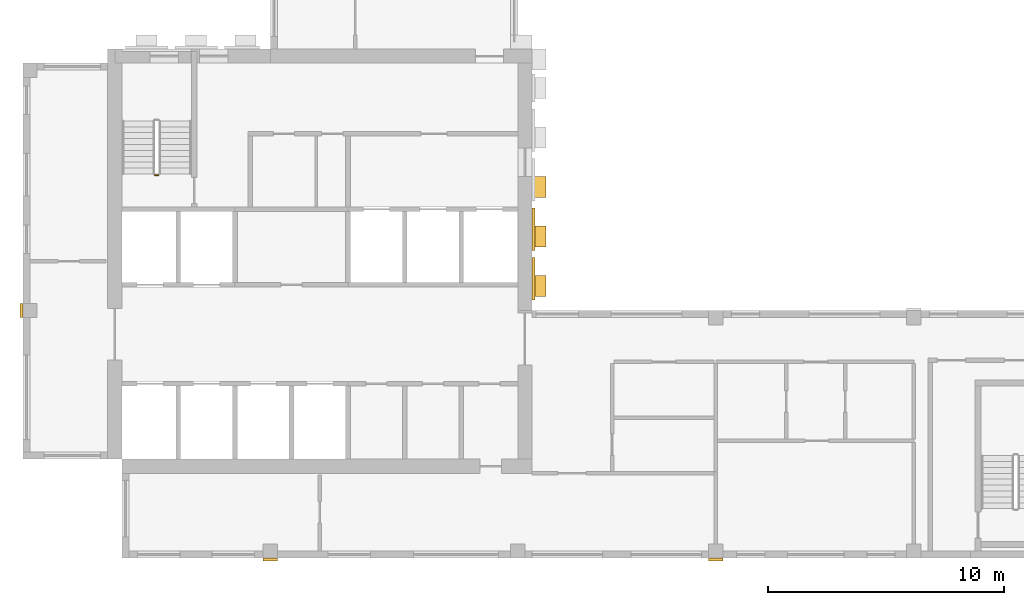
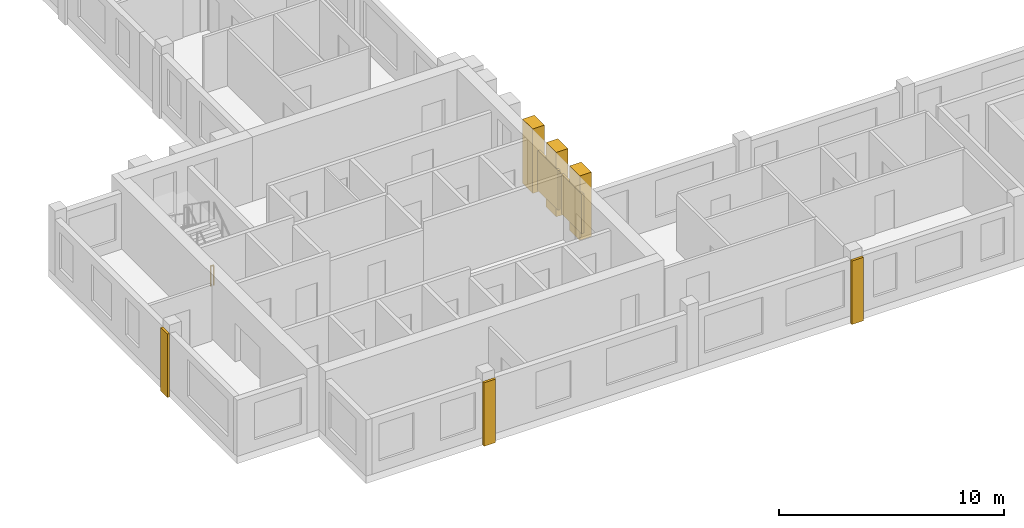
# One storey, part 7 of 10: 8 coverings, 1 railing.
"""IFC4 building model written with IfcOpenShell, lengths in metres."""

import ifcopenshell
import ifcopenshell.guid

model = None  # the IFC model being written
_history = None  # IfcOwnerHistory: only IFC2X3 demands one
_inside = {}  # id of a spatial element -> (the spatial element, [elements in it])
_under = {}  # id of a project, library or spatial element -> (it, [spatial elements below it])
_declared = {}  # id of a project -> (the project, [libraries it declares])
_typed = {}  # id of a type object -> (the type object, [elements of that type])
_made_of = {}  # id of a material, layer set ... -> (it, [elements and type objects made of it])


def new_model(schema):
    """Start an empty IFC model of exactly this schema.

    Asked for "IFC4X3", IfcOpenShell would pick the latest addendum, in which some entities
    have other attributes; the version numbers below select the first issue.
    IFC2X3 requires an IfcOwnerHistory on every rooted entity: one is made here for all.
    """
    global model, _history
    if schema == "IFC4X3":
        model = ifcopenshell.file(schema_version=(4, 3, 0, 0))
    else:
        model = ifcopenshell.file(schema=schema)
    _inside.clear()
    _under.clear()
    _declared.clear()
    _typed.clear()
    _made_of.clear()
    _history = None
    if model.schema == "IFC2X3":
        org = make("IfcOrganization", Name="unknown")
        user = make(
            "IfcPersonAndOrganization",
            ThePerson=make("IfcPerson", FamilyName="unknown"),
            TheOrganization=org,
        )
        app = make(
            "IfcApplication",
            ApplicationDeveloper=org,
            Version="unknown",
            ApplicationFullName="unknown",
            ApplicationIdentifier="unknown",
        )
        _history = make(
            "IfcOwnerHistory",
            OwningUser=user,
            OwningApplication=app,
            ChangeAction="ADDED",
            CreationDate=0,
        )
    return model


def make(cls, **values):
    """One entity of the class cls with the attributes given. An attribute that is None is left unset."""
    return model.create_entity(
        cls, **{name: value for name, value in values.items() if value is not None}
    )


def rooted(cls, **values):
    """An entity with a GlobalId (a new one), such as an element, a storey or a relation."""
    return make(cls, GlobalId=ifcopenshell.guid.new(), OwnerHistory=_history, **values)


def si_unit(unit_type, name, prefix=None):
    """IfcSIUnit, for example si_unit("LENGTHUNIT", "METRE", prefix="MILLI")."""
    return make("IfcSIUnit", UnitType=unit_type, Prefix=prefix, Name=name)


def assignment(units):
    """IfcUnitAssignment: the units of a project."""
    return None if units is None else make("IfcUnitAssignment", Units=units)


def point(xyz):
    """IfcCartesianPoint."""
    return None if xyz is None else make("IfcCartesianPoint", Coordinates=xyz)


def direction(xyz):
    """IfcDirection."""
    return None if xyz is None else make("IfcDirection", DirectionRatios=xyz)


def frame(location, z_axis=None, x_axis=None):
    """IfcAxis2Placement3D, a coordinate frame: its origin and axes. An axis left out is left unset."""
    return make(
        "IfcAxis2Placement3D",
        Location=point(location),
        Axis=direction(z_axis),
        RefDirection=direction(x_axis),
    )


def frame_2d(location, x_axis=None):
    """IfcAxis2Placement2D, a coordinate frame in the plane: its origin and x axis."""
    return make(
        "IfcAxis2Placement2D", Location=point(location), RefDirection=direction(x_axis)
    )


def origin():
    """The frame at (0, 0, 0) with its axes left unset."""
    return frame((0.0, 0.0, 0.0))


def origin_2d():
    """The frame at (0, 0) in the plane with its x axis left unset."""
    return frame_2d((0.0, 0.0))


def place(relative_to, where):
    """IfcLocalPlacement: puts the frame where relative to a parent placement (None: the world)."""
    return make(
        "IfcLocalPlacement", PlacementRelTo=relative_to, RelativePlacement=where
    )


def context(
    kind, dimensions, precision=None, world=None, true_north=None, identifier=None
):
    """IfcGeometricRepresentationContext, for example the 3D "Model" context."""
    return make(
        "IfcGeometricRepresentationContext",
        ContextIdentifier=identifier,
        ContextType=kind,
        CoordinateSpaceDimension=dimensions,
        Precision=precision,
        WorldCoordinateSystem=world,
        TrueNorth=true_north,
    )


def subcontext(parent, identifier, kind, view, scale=None):
    """IfcGeometricRepresentationSubContext, for example "Body" below "Model"."""
    return make(
        "IfcGeometricRepresentationSubContext",
        ContextIdentifier=identifier,
        ContextType=kind,
        ParentContext=parent,
        TargetScale=scale,
        TargetView=view,
    )


def project(units=None, contexts=None):
    """IfcProject with its units and contexts."""
    return rooted(
        "IfcProject",
        Name="project",
        RepresentationContexts=contexts,
        UnitsInContext=assignment(units),
    )


def spatial(cls, under=None, at=None, **own):
    """A site, building, storey or space (cls), placed at a placement, below another one or the project."""
    s = rooted(cls, ObjectPlacement=at, **own)
    if under is not None:
        _under.setdefault(under.id(), (under, []))[1].append(s)
    return s


def profile(cls, at=None, kind="AREA", **sizes):
    """A parametric profile (cls). Its sizes go by their IFC names, for example OverallWidth=200.0."""
    return make(cls, ProfileType=kind, Position=at, **sizes)


def rectangle(**sizes):
    """IfcRectangleProfileDef."""
    return profile("IfcRectangleProfileDef", **sizes)


def circle(**sizes):
    """IfcCircleProfileDef."""
    return profile("IfcCircleProfileDef", **sizes)


def extrude(swept, where, along, depth):
    """IfcExtrudedAreaSolid: the profile swept, set in the frame where, extruded along a direction by depth."""
    return make(
        "IfcExtrudedAreaSolid",
        SweptArea=swept,
        Position=where,
        ExtrudedDirection=direction(along),
        Depth=depth,
    )


def shape(context_of_items, identifier, shape_type, items):
    """IfcShapeRepresentation: the items that make up one representation, for example the "Body"."""
    return make(
        "IfcShapeRepresentation",
        ContextOfItems=context_of_items,
        RepresentationIdentifier=identifier,
        RepresentationType=shape_type,
        Items=items,
    )


def source(mapping_origin, context_of_items, identifier, shape_type, items):
    """IfcRepresentationMap: a shape defined once, which mapped items show again and again."""
    return make(
        "IfcRepresentationMap",
        MappingOrigin=mapping_origin,
        MappedRepresentation=shape(context_of_items, identifier, shape_type, items),
    )


def transform(
    local_origin,
    x_axis=None,
    y_axis=None,
    z_axis=None,
    scale=None,
    scale2=None,
    scale3=None,
    uniform=True,
):
    """IfcCartesianTransformationOperator3D, or its non-uniform kind. x_axis, y_axis, z_axis: its Axis1, 2, 3."""
    if uniform:
        return make(
            "IfcCartesianTransformationOperator3D",
            Axis1=direction(x_axis),
            Axis2=direction(y_axis),
            LocalOrigin=point(local_origin),
            Scale=scale,
            Axis3=direction(z_axis),
        )
    return make(
        "IfcCartesianTransformationOperator3DnonUniform",
        Axis1=direction(x_axis),
        Axis2=direction(y_axis),
        LocalOrigin=point(local_origin),
        Scale=scale,
        Axis3=direction(z_axis),
        Scale2=scale2,
        Scale3=scale3,
    )


def mapped(mapping_source, mapping_target):
    """IfcMappedItem: shows the shape of a source again, moved by a transform."""
    return make(
        "IfcMappedItem", MappingSource=mapping_source, MappingTarget=mapping_target
    )


def material(Name=None, Category=None):
    """IfcMaterial."""
    return make("IfcMaterial", Name=Name, Category=Category)


def made_of(thing, what):
    """Note that an element or type object is made of a material, layer set ...; save() writes the relation."""
    if what is not None:
        _made_of.setdefault(what.id(), (what, []))[1].append(thing)
    return thing


def type_object(cls, material=None, **own):
    """A type object (cls), such as IfcWallType, which elements share."""
    return made_of(rooted(cls, **own), material)


def element(
    cls,
    number,
    at=None,
    inside=None,
    cuts=None,
    type_object=None,
    material=None,
    context=None,
    identifier="Body",
    shape_type=None,
    held_by="IfcProductDefinitionShape",
    body=None,
    shapes=None,
    **own,
):
    """One element of the class cls, such as IfcWall. Its Tag is "e" and its number.

    at: its placement. inside: the storey or other place that contains it. cuts: it is an
    opening in that element (IfcRelVoidsElement). A single representation is given by context,
    identifier, shape_type and body (its items); several are given by shapes. held_by: the class
    of the entity that holds the representations. save() writes the other relations.
    """
    e = rooted(cls, Tag="e%d" % number, ObjectPlacement=at, **own)
    if body is not None:
        shapes = [shape(context, identifier, shape_type, body)]
    if shapes is not None:
        e.Representation = make(held_by, Representations=shapes)
    if inside is not None:
        _inside.setdefault(inside.id(), (inside, []))[1].append(e)
    if cuts is not None:
        rooted(
            "IfcRelVoidsElement", RelatingBuildingElement=cuts, RelatedOpeningElement=e
        )
    if type_object is not None:
        _typed.setdefault(type_object.id(), (type_object, []))[1].append(e)
    return made_of(e, material)


def aggregate(whole, parts):
    """IfcRelAggregates: a whole, such as a stair, and the parts it consists of."""
    return rooted("IfcRelAggregates", RelatingObject=whole, RelatedObjects=parts)


def save(model, path):
    """Write the relations noted so far, then the file.

    IfcRelAggregates (storeys below a building ...), IfcRelContainedInSpatialStructure (elements
    in a storey), IfcRelDefinesByType, IfcRelAssociatesMaterial and IfcRelDeclares: one each for
    every whole, place, type object, material and project.
    """
    for whole, parts in _under.values():
        aggregate(whole, parts)
    for where, things in _inside.values():
        rooted(
            "IfcRelContainedInSpatialStructure",
            RelatedElements=things,
            RelatingStructure=where,
        )
    for kind, things in _typed.values():
        rooted("IfcRelDefinesByType", RelatedObjects=things, RelatingType=kind)
    for what, things in _made_of.values():
        rooted("IfcRelAssociatesMaterial", RelatedObjects=things, RelatingMaterial=what)
    for by, libraries in _declared.values():
        rooted("IfcRelDeclares", RelatingContext=by, RelatedDefinitions=libraries)
    model.write(path)


model = new_model("IFC4")

# Units and contexts
model_context = context("Model", 3, precision=1e-05, world=origin(), true_north=direction((0.0, 1.0)))
body_context = subcontext(model_context, "Body", "Model", "MODEL_VIEW")
ifc_project = project(units=[si_unit("LENGTHUNIT", "METRE"), si_unit("AREAUNIT", "SQUARE_METRE"), si_unit("VOLUMEUNIT", "CUBIC_METRE"), si_unit("PLANEANGLEUNIT", "RADIAN"), si_unit("MASSUNIT", "GRAM", prefix="KILO")], contexts=[model_context])

# Site, building, storey
site_placement = place(None, origin())
site = spatial("IfcSite", under=ifc_project, at=site_placement, CompositionType="ELEMENT")
building_placement = place(site_placement, origin())
building = spatial("IfcBuilding", under=site, at=building_placement, Name="Aurelian Terraces", CompositionType="ELEMENT")
storey_placement = place(building_placement, frame((0.0, 0.0, 365.0)))
storey = spatial("IfcBuildingStorey", under=building, at=storey_placement, Name="L87", CompositionType="ELEMENT", Elevation=365.0)

# Coverings
ifc_material_1 = material(Name="Terracotta rainscreen cladding relief", Category="masonry")
covering_type_1 = type_object("IfcCoveringType", Name="BAGUETTE-TC", PredefinedType="CLADDING", material=ifc_material_1)
covering_1_placement = place(storey_placement, frame((10.5, -0.06, -0.4), z_axis=(0.0, 0.0, 1.0), x_axis=(1.0, 0.0, 0.0)))
element("IfcCovering", 1, at=covering_1_placement, inside=storey, type_object=covering_type_1, Name="BAGUETTE pier L87 1", PredefinedType="CLADDING", context=body_context, shape_type="SweptSolid", body=[
    extrude(rectangle(XDim=0.6, YDim=0.12, at=origin_2d()), origin(), (0.0, 0.0, 1.0), 3.45),
])
covering_2_placement = place(storey_placement, frame((-0.06, 10.5, -0.4), z_axis=(0.0, 0.0, 1.0), x_axis=(1.0, 0.0, 0.0)))
element("IfcCovering", 2, at=covering_2_placement, inside=storey, type_object=covering_type_1, Name="BAGUETTE pier L87 5", PredefinedType="CLADDING", context=body_context, shape_type="SweptSolid", body=[
    extrude(rectangle(XDim=0.12, YDim=0.6, at=origin_2d()), origin(), (0.0, 0.0, 1.0), 3.45),
])
ifc_material_2 = material(Name="Terracotta rainscreen cladding louvre blades", Category="masonry")
covering_type_2 = type_object("IfcCoveringType", Name="LOUVRE-TC", PredefinedType="CLADDING", material=ifc_material_2)
covering_3_placement = place(storey_placement, frame((21.66, 11.85, 0.45), z_axis=(0.0, 0.0, 1.0), x_axis=(1.0, 0.0, 0.0)))
element("IfcCovering", 3, at=covering_3_placement, inside=storey, type_object=covering_type_2, Name="LOUVRE L87 core face E.1", PredefinedType="CLADDING", context=body_context, shape_type="SweptSolid", body=[
    extrude(rectangle(XDim=0.12, YDim=1.8, at=origin_2d()), origin(), (0.0, 0.0, 1.0), 2.15),
])
shared_shape_1 = source(origin(), body_context, "Body", "SweptSolid", [
    extrude(rectangle(XDim=0.12, YDim=1.8, at=origin_2d()), origin(), (0.0, 0.0, 1.0), 2.15),
])
covering_4_placement = place(storey_placement, frame((21.66, 13.95, 0.45), z_axis=(0.0, 0.0, 1.0), x_axis=(1.0, 0.0, 0.0)))
element("IfcCovering", 4, at=covering_4_placement, inside=storey, type_object=covering_type_2, Name="LOUVRE L87 core face E.2", PredefinedType="CLADDING", context=body_context, shape_type="MappedRepresentation", body=[
    mapped(shared_shape_1, transform((0.0, 0.0, 0.0), scale=1.0)),
])
shared_shape_2 = source(origin(), body_context, "Body", "SweptSolid", [
    extrude(rectangle(XDim=0.6, YDim=0.12, at=origin_2d()), origin(), (0.0, 0.0, 1.0), 3.45),
])
covering_5_placement = place(storey_placement, frame((29.4, -0.06, -0.4), z_axis=(0.0, 0.0, 1.0), x_axis=(1.0, 0.0, 0.0)))
element("IfcCovering", 5, at=covering_5_placement, inside=storey, type_object=covering_type_1, Name="BAGUETTE pier L87 2", PredefinedType="CLADDING", context=body_context, shape_type="MappedRepresentation", body=[
    mapped(shared_shape_2, transform((0.0, 0.0, 0.0), scale=1.0)),
])

# Railing
ifc_material_3 = material(Name="Stainless steel", Category="steel")
railing_type = type_object("IfcRailingType", Name="Stair guard 1100", PredefinedType="GUARDRAIL", material=ifc_material_3)
shared_shape_3 = source(origin(), body_context, "Body", "SweptSolid", [
    extrude(circle(Radius=0.024, at=origin_2d()), frame((0.0, 0.0, 1.076), z_axis=(-1.0, 0.0, 0.0), x_axis=(0.0, -1.0, 0.0)), (0.0, 0.0, 1.0), 0.15),
    extrude(circle(Radius=0.021, at=origin_2d()), origin(), (0.0, 0.0, 1.0), 1.052),
    extrude(circle(Radius=0.021, at=origin_2d()), frame((-0.15, 0.0, 0.0)), (0.0, 0.0, 1.0), 1.052),
])
railing_placement = place(storey_placement, frame((5.75, 16.25, 0.0)))
element("IfcRailing", 6, at=railing_placement, inside=storey, type_object=railing_type, Name="L87 S1 stair guard 4", PredefinedType="GUARDRAIL", context=body_context, shape_type="MappedRepresentation", body=[
    mapped(shared_shape_3, transform((0.0, 0.0, 0.0), scale=1.0)),
])

# Coverings
covering_type_3 = type_object("IfcCoveringType", Name="Core spine pier 900x600", PredefinedType="CLADDING", material=ifc_material_1)
shared_shape_4 = source(origin(), body_context, "Body", "SweptSolid", [
    extrude(rectangle(XDim=0.6, YDim=0.9, at=origin_2d()), origin(), (0.0, 0.0, 1.0), 3.5),
])
for number, where, z_axis, x_axis, name in (
    (7, (21.9, 11.55, 0.0), (0.0, 0.0, 1.0), (1.0, 0.0, 0.0), "Spine pier L87 E1"),
    (8, (21.9, 13.65, 0.0), (0.0, 0.0, 1.0), (1.0, 0.0, 0.0), "Spine pier L87 E2"),
    (9, (21.9, 15.75, 0.0), (0.0, 0.0, 1.0), (1.0, 0.0, 0.0), "Spine pier L87 E3"),
):
    element("IfcCovering", number, at=place(storey_placement, frame(where, z_axis=z_axis, x_axis=x_axis)), inside=storey, type_object=covering_type_3, Name=name, PredefinedType="CLADDING", context=body_context, shape_type="MappedRepresentation", body=[
        mapped(shared_shape_4, transform((0.0, 0.0, 0.0), scale=1.0)),
    ])

save(model, "model.ifc")
